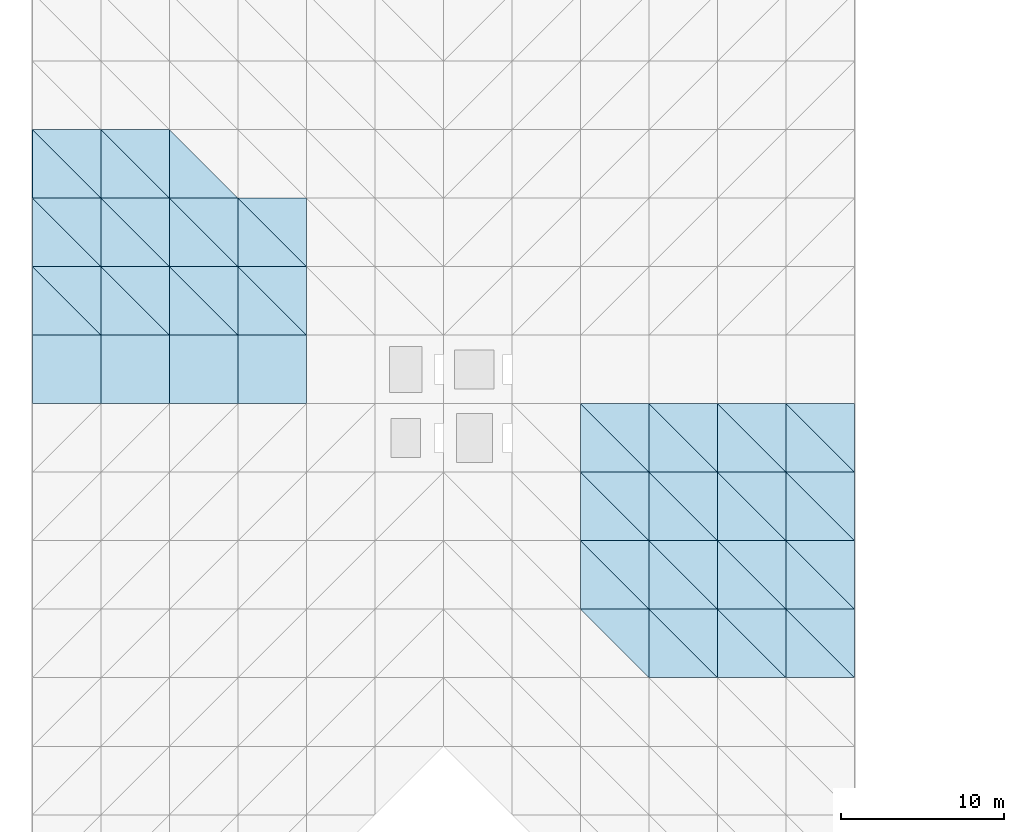
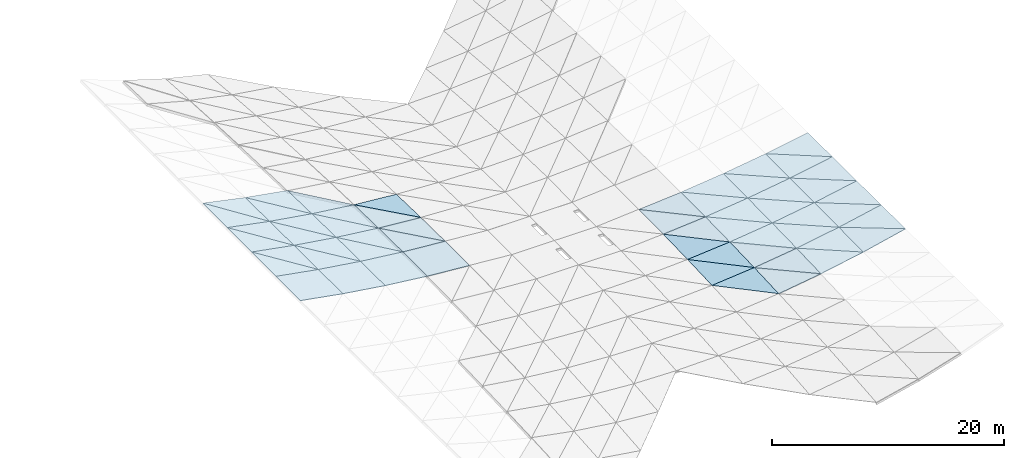
# One storey, part 21 of 31: 56 roofs.
"""IFC4 building model written with IfcOpenShell, lengths in metres."""

from ifc_helpers import new_model, si_unit, direction, frame, origin, place, context, subcontext, project, spatial, polyline, outline, extrude, material, layer, layer_set, type_object, element, save


model = new_model("IFC4")

# Units and contexts
model_context = context("Model", 3, precision=1e-05, world=origin(), true_north=direction((0.0, 1.0)))
body_context = subcontext(model_context, "Body", "Model", "MODEL_VIEW")
ifc_project = project(units=[si_unit("LENGTHUNIT", "METRE"), si_unit("AREAUNIT", "SQUARE_METRE"), si_unit("VOLUMEUNIT", "CUBIC_METRE"), si_unit("PLANEANGLEUNIT", "RADIAN"), si_unit("MASSUNIT", "GRAM", prefix="KILO")], contexts=[model_context])

# Site, building, storey
site_placement = place(None, origin())
site = spatial("IfcSite", under=ifc_project, at=site_placement, CompositionType="ELEMENT")
building_placement = place(site_placement, origin())
building = spatial("IfcBuilding", under=site, at=building_placement, Name="Cumbredor Promenade Congress Hotel", CompositionType="ELEMENT")
storey_placement = place(building_placement, frame((0.0, 0.0, 31.919921875)))
storey = spatial("IfcBuildingStorey", under=building, at=storey_placement, Name="L09", CompositionType="ELEMENT", Elevation=31.919921875)

# Roofs
ifc_material = material(Name="Standing-seam zinc-aluminium roofing", Category="aluminium")
ifc_layer = layer(ifc_material, 0.050048828125, Name="Standing-seam zinc-aluminium roofing", Category="aluminium")
ifc_layer_set = layer_set([ifc_layer], Name="Standing-seam zinc-aluminium roofing")
roof_type = type_object("IfcRoofType", Name="Sweeping Pavilion Standing-Seam Roof Skin 50mm", PredefinedType="FREEFORM", material=ifc_layer_set)
roof_1_placement = place(storey_placement, frame((8.39990234375, 33.60009765625, 3.57568359375), z_axis=(0.175782716667, 0.0, 0.984428990086), x_axis=(0.984428990086, 0.0, -0.175782716667)))
element("IfcRoof", 1, at=roof_1_placement, inside=storey, type_object=roof_type, Name="Plenary Congress Hall Standing-Seam Roof Skin 4.9", PredefinedType="FREEFORM", context=body_context, shape_type="SweptSolid", body=[
    extrude(outline(polyline([(0.0, 0.0), (4.266631067147355, 0.0), (4.266631067147355, 4.199951171875001), (0.0, 4.199951171875001), (0.0, 0.0)])), origin(), (0.0, 0.0, -1.0), 0.050048828125),
])
roof_2_placement = place(storey_placement, frame((8.39990234375, 37.800048828125, 3.57568359375), z_axis=(0.1757823641, -0.002002845175, 0.98442701562), x_axis=(0.984428990086, 0.0, -0.175782716667)))
element("IfcRoof", 2, at=roof_2_placement, inside=storey, type_object=roof_type, Name="Plenary Congress Hall Standing-Seam Roof Skin 4.10.1", PredefinedType="FREEFORM", context=body_context, shape_type="SweptSolid", body=[
    extrude(outline(polyline([(0.0, 0.0), (4.266631067147355, 2.168404344971009e-19), (-0.0015020495808968119, 4.199959595718879), (0.0, 0.0)])), origin(), (0.0, 0.0, -1.0), 0.050048828125),
])
roof_3_placement = place(storey_placement, frame((12.60009765625, 37.800048828125, 2.82568359375), z_axis=(0.180931537884, 0.003315841772, 0.983490103556), x_axis=(0.0, 0.999994316526, -0.003371485808)))
element("IfcRoof", 3, at=roof_3_placement, inside=storey, type_object=roof_type, Name="Plenary Congress Hall Standing-Seam Roof Skin 4.10.2", PredefinedType="FREEFORM", context=body_context, shape_type="SweptSolid", body=[
    extrude(outline(polyline([(0.0, 0.0), (4.199975042325753, 4.336808689942018e-19), (4.19736987812093, 4.270679924090144), (0.0, 0.0)])), origin(), (0.0, 0.0, -1.0), 0.050048828125),
])
roof_4_placement = place(storey_placement, frame((8.39990234375, 42.0, 3.584228515625), z_axis=(0.180931042037, -0.004059036563, 0.983487408282), x_axis=(0.983495510242, 0.0, -0.180932532546)))
element("IfcRoof", 4, at=roof_4_placement, inside=storey, type_object=roof_type, Name="Plenary Congress Hall Standing-Seam Roof Skin 4.11.1", PredefinedType="FREEFORM", context=body_context, shape_type="SweptSolid", body=[
    extrude(outline(polyline([(0.0, 0.0), (4.270680718680236, 4.336808689942018e-19), (-0.0031362816920767274, 4.199985771033712), (0.0, 0.0)])), origin(), (0.0, 0.0, -1.0), 0.050048828125),
])
roof_5_placement = place(storey_placement, frame((12.60009765625, 42.0, 2.8115234375), z_axis=(0.191292954794, 0.006675388226, 0.981510287587), x_axis=(0.0, 0.999976873054, -0.006800982047)))
element("IfcRoof", 5, at=roof_5_placement, inside=storey, type_object=roof_type, Name="Plenary Congress Hall Standing-Seam Roof Skin 4.11.2", PredefinedType="FREEFORM", context=body_context, shape_type="SweptSolid", body=[
    extrude(outline(polyline([(0.0, 0.0), (4.200048306164646, -8.673617379884035e-19), (4.1944809983516125, 4.279219716726906), (0.0, 0.0)])), origin(), (0.0, 0.0, -1.0), 0.050048828125),
])
roof_6_placement = place(storey_placement, frame((8.39990234375, 46.199951171875, 3.6015625), z_axis=(0.191293784239, -0.005990758999, 0.981514543406), x_axis=(0.981532156763, 0.0, -0.191297217021)))
element("IfcRoof", 6, at=roof_6_placement, inside=storey, type_object=roof_type, Name="Plenary Congress Hall Standing-Seam Roof Skin 4.12.1", PredefinedType="FREEFORM", context=body_context, shape_type="SweptSolid", body=[
    extrude(outline(polyline([(0.0, 0.0), (4.279223338287052, 0.0), (-0.004903859323044345, 4.200026540333593), (0.0, 0.0)])), origin(), (0.0, 0.0, -1.0), 0.050048828125),
])
roof_7_placement = place(storey_placement, frame((12.60009765625, 46.199951171875, 2.782958984375), z_axis=(0.206659303416, 0.010009397822, 0.978361765538), x_axis=(0.0, 0.999947669743, -0.010230238323)))
element("IfcRoof", 7, at=roof_7_placement, inside=storey, type_object=roof_type, Name="Plenary Congress Hall Standing-Seam Roof Skin 4.12.2", PredefinedType="FREEFORM", context=body_context, shape_type="SweptSolid", body=[
    extrude(outline(polyline([(0.0, 0.0), (4.2001709679024675, 0.0), (4.191094628530725, 4.292865546404875), (0.0, 0.0)])), origin(), (0.0, 0.0, -1.0), 0.050048828125),
])
roof_8_placement = place(storey_placement, frame((12.60009765625, 33.60009765625, 2.82568359375), z_axis=(0.144488762468, 0.0, 0.989506441374), x_axis=(0.989506441374, 0.0, -0.144488762468)))
element("IfcRoof", 8, at=roof_8_placement, inside=storey, type_object=roof_type, Name="Plenary Congress Hall Standing-Seam Roof Skin 5.9", PredefinedType="FREEFORM", context=body_context, shape_type="SweptSolid", body=[
    extrude(outline(polyline([(0.0, 0.0), (4.244490986883557, 0.0), (4.244490986883557, 4.199951171875001), (0.0, 4.199951171875001), (0.0, 0.0)])), origin(), (0.0, 0.0, -1.0), 0.050048828125),
])
roof_9_placement = place(storey_placement, frame((12.60009765625, 37.800048828125, 2.82568359375), z_axis=(0.144487958414, 0.00333610732, 0.989500934947), x_axis=(0.989506441374, 0.0, -0.144488762468)))
element("IfcRoof", 9, at=roof_9_placement, inside=storey, type_object=roof_type, Name="Plenary Congress Hall Standing-Seam Roof Skin 5.10.1", PredefinedType="FREEFORM", context=body_context, shape_type="SweptSolid", body=[
    extrude(outline(polyline([(0.0, 0.0), (4.244490986883557, 0.0), (0.0020459834529113945, 4.19997454398368), (0.0, 0.0)])), origin(), (0.0, 0.0, -1.0), 0.050048828125),
])
roof_10_placement = place(storey_placement, frame((16.800048828125, 37.800048828125, 2.21240234375), z_axis=(0.148872751648, 0.007817256457, 0.988825462009), x_axis=(0.0, 0.999968752226, -0.007905350829)))
element("IfcRoof", 10, at=roof_10_placement, inside=storey, type_object=roof_type, Name="Plenary Congress Hall Standing-Seam Roof Skin 5.10.2", PredefinedType="FREEFORM", context=body_context, shape_type="SweptSolid", body=[
    extrude(outline(polyline([(0.0, 0.0), (4.200082415101393, 8.673617379884035e-19), (4.1950836703148155, 4.247281339433798), (0.0, 0.0)])), origin(), (0.0, 0.0, -1.0), 0.050048828125),
])
roof_11_placement = place(storey_placement, frame((12.60009765625, 42.0, 2.8115234375), z_axis=(0.14887393386, 0.006725193151, 0.988833314363), x_axis=(0.988855676708, 0.0, -0.148877300626)))
element("IfcRoof", 11, at=roof_11_placement, inside=storey, type_object=roof_type, Name="Plenary Congress Hall Standing-Seam Roof Skin 5.11.1", PredefinedType="FREEFORM", context=body_context, shape_type="SweptSolid", body=[
    extrude(outline(polyline([(0.0, 0.0), (4.247284281014397, -8.673617379884035e-19), (0.004252598675116891, 4.200046153260822), (0.0, 0.0)])), origin(), (0.0, 0.0, -1.0), 0.050048828125),
])
roof_12_placement = place(storey_placement, frame((16.800048828125, 42.0, 2.17919921875), z_axis=(0.157496793672, 0.015554530279, 0.987396990359), x_axis=(0.0, 0.999875943539, -0.015751112056)))
element("IfcRoof", 12, at=roof_12_placement, inside=storey, type_object=roof_type, Name="Plenary Congress Hall Standing-Seam Roof Skin 5.11.2", PredefinedType="FREEFORM", context=body_context, shape_type="SweptSolid", body=[
    extrude(outline(polyline([(0.0, 0.0), (4.200472267596959, 1.734723475976807e-18), (4.1899202530750745, 4.253031133171639), (0.0, 0.0)])), origin(), (0.0, 0.0, -1.0), 0.050048828125),
])
roof_13_placement = place(storey_placement, frame((12.60009765625, 46.199951171875, 2.782958984375), z_axis=(0.157507811441, 0.010102541842, 0.987466064219), x_axis=(0.987516459137, 0.0, -0.157515849786)))
element("IfcRoof", 13, at=roof_13_placement, inside=storey, type_object=roof_type, Name="Plenary Congress Hall Standing-Seam Roof Skin 5.12.1", PredefinedType="FREEFORM", context=body_context, shape_type="SweptSolid", body=[
    extrude(outline(polyline([(0.0, 0.0), (4.253044223228545, -8.673617379884035e-19), (0.006768259170499436, 4.200165514628983), (0.0, 0.0)])), origin(), (0.0, 0.0, -1.0), 0.050048828125),
])
roof_14_placement = place(storey_placement, frame((16.800048828125, 46.199951171875, 2.113037109375), z_axis=(0.170303944809, 0.023249294416, 0.985117270528), x_axis=(0.0, 0.999721623662, -0.02359396496)))
element("IfcRoof", 14, at=roof_14_placement, inside=storey, type_object=roof_type, Name="Plenary Congress Hall Standing-Seam Roof Skin 5.12.2", PredefinedType="FREEFORM", context=body_context, shape_type="SweptSolid", body=[
    extrude(outline(polyline([(0.0, 0.0), (4.201120664460899, 3.469446951953614e-18), (4.183989694785356, 4.262215403654018), (0.0, 0.0)])), origin(), (0.0, 0.0, -1.0), 0.050048828125),
])
roof_15_placement = place(storey_placement, frame((16.800048828125, 33.60009765625, 2.21240234375), z_axis=(0.11285914596, 0.0, 0.993610996906), x_axis=(0.993610996906, 0.0, -0.11285914596)))
element("IfcRoof", 15, at=roof_15_placement, inside=storey, type_object=roof_type, Name="Plenary Congress Hall Standing-Seam Roof Skin 6.9", PredefinedType="FREEFORM", context=body_context, shape_type="SweptSolid", body=[
    extrude(outline(polyline([(0.0, 0.0), (4.226957214596029, 0.0), (4.226957214596029, 4.199951171875), (0.0, 4.199951171875), (0.0, 0.0)])), origin(), (0.0, 0.0, -1.0), 0.050048828125),
])
roof_16_placement = place(storey_placement, frame((16.800048828125, 37.800048828125, 2.21240234375), z_axis=(0.11285566428, 0.007854846644, 0.993580344222), x_axis=(0.993610996906, 0.0, -0.11285914596)))
element("IfcRoof", 16, at=roof_16_placement, inside=storey, type_object=roof_type, Name="Plenary Congress Hall Standing-Seam Roof Skin 6.10.1", PredefinedType="FREEFORM", context=body_context, shape_type="SweptSolid", body=[
    extrude(outline(polyline([(0.0, 0.0), (4.226957214596029, 0.0), (0.0037472763307128, 4.200080743457685), (0.0, 0.0)])), origin(), (0.0, 0.0, -1.0), 0.050048828125),
])
roof_17_placement = place(storey_placement, frame((21.0, 37.800048828125, 1.7353515625), z_axis=(0.116271015302, 0.011315352035, 0.993153066656), x_axis=(0.0, 0.999935101974, -0.011392622216)))
element("IfcRoof", 17, at=roof_17_placement, inside=storey, type_object=roof_type, Name="Plenary Congress Hall Standing-Seam Roof Skin 6.10.2", PredefinedType="FREEFORM", context=body_context, shape_type="SweptSolid", body=[
    extrude(outline(polyline([(0.0, 0.0), (4.200223758107165, 8.673617379884035e-19), (4.194622014663901, 4.2286317631503385), (0.0, 0.0)])), origin(), (0.0, 0.0, -1.0), 0.050048828125),
])
roof_18_placement = place(storey_placement, frame((16.800048828125, 42.0, 2.17919921875), z_axis=(0.116264229431, 0.015644293037, 0.993095103729), x_axis=(0.993216653027, 0.0, -0.116278459524)))
element("IfcRoof", 18, at=roof_18_placement, inside=storey, type_object=roof_type, Name="Plenary Congress Hall Standing-Seam Roof Skin 6.11.1", PredefinedType="FREEFORM", context=body_context, shape_type="SweptSolid", body=[
    extrude(outline(polyline([(0.0, 0.0), (4.228635473513123, 0.0), (0.007693228157004582, 4.200465222459491), (0.0, 0.0)])), origin(), (0.0, 0.0, -1.0), 0.050048828125),
])
roof_19_placement = place(storey_placement, frame((21.0, 42.0, 1.6875), z_axis=(0.123016640943, 0.022492494125, 0.992149683142), x_axis=(0.0, 0.999743124033, -0.022664640956)))
element("IfcRoof", 19, at=roof_19_placement, inside=storey, type_object=roof_type, Name="Plenary Congress Hall Standing-Seam Roof Skin 6.11.2", PredefinedType="FREEFORM", context=body_context, shape_type="SweptSolid", body=[
    extrude(outline(polyline([(0.0, 0.0), (4.201030315601701, 1.734723475976807e-18), (4.189227659556787, 4.2320955967614875), (0.0, 0.0)])), origin(), (0.0, 0.0, -1.0), 0.050048828125),
])
roof_20_placement = place(storey_placement, frame((16.800048828125, 46.199951171875, 2.113037109375), z_axis=(0.123014035395, 0.023414767168, 0.992128668961), x_axis=(0.992400748769, 0.0, -0.123047770571)))
element("IfcRoof", 20, at=roof_20_placement, inside=storey, type_object=roof_type, Name="Plenary Congress Hall Standing-Seam Roof Skin 6.12.1", PredefinedType="FREEFORM", context=body_context, shape_type="SweptSolid", body=[
    extrude(outline(polyline([(0.0, 0.0), (4.232112054615011, 0.0), (0.012196629602449008, 4.201102959888836), (0.0, 0.0)])), origin(), (0.0, 0.0, -1.0), 0.050048828125),
])
roof_21_placement = place(storey_placement, frame((21.0, 33.60009765625, 1.7353515625), z_axis=(0.080940322755, 0.0, 0.99671894943), x_axis=(0.99671894943, 0.0, -0.080940322755)))
element("IfcRoof", 21, at=roof_21_placement, inside=storey, type_object=roof_type, Name="Plenary Congress Hall Standing-Seam Roof Skin 7.9", PredefinedType="FREEFORM", context=body_context, shape_type="SweptSolid", body=[
    extrude(outline(polyline([(0.0, 0.0), (4.213776786603633, 0.0), (4.213776786603633, 4.199951171875), (0.0, 4.199951171875), (0.0, 0.0)])), origin(), (0.0, 0.0, -1.0), 0.050048828125),
])
roof_22_placement = place(storey_placement, frame((21.0, 37.800048828125, 1.7353515625), z_axis=(0.080935104298, 0.011355247274, 0.99665468807), x_axis=(0.99671894943, 0.0, -0.080940322755)))
element("IfcRoof", 22, at=roof_22_placement, inside=storey, type_object=roof_type, Name="Plenary Congress Hall Standing-Seam Roof Skin 7.10.1", PredefinedType="FREEFORM", context=body_context, shape_type="SweptSolid", body=[
    extrude(outline(polyline([(0.0, 0.0), (4.213776786603633, 0.0), (0.0038731209130785016, 4.2002219723607785), (0.0, 0.0)])), origin(), (0.0, 0.0, -1.0), 0.050048828125),
])
roof_23_placement = place(storey_placement, frame((25.199951171875, 37.800048828125, 1.394287109375), z_axis=(0.083349162812, 0.01378533756, 0.996425050632), x_axis=(0.0, 0.999904312942, -0.013833472446)))
element("IfcRoof", 23, at=roof_23_placement, inside=storey, type_object=roof_type, Name="Plenary Congress Hall Standing-Seam Roof Skin 7.10.2", PredefinedType="FREEFORM", context=body_context, shape_type="SweptSolid", body=[
    extrude(outline(polyline([(0.0, 0.0), (4.200353091304688, 0.0), (4.1954931384606695, 4.214616330892586), (0.0, 0.0)])), origin(), (0.0, 0.0, -1.0), 0.050048828125),
])
roof_24_placement = place(storey_placement, frame((21.0, 42.0, 1.6875), z_axis=(0.083335819886, 0.022585802471, 0.996265538223), x_axis=(0.99651974221, 0.0, -0.083357083592)))
element("IfcRoof", 24, at=roof_24_placement, inside=storey, type_object=roof_type, Name="Plenary Congress Hall Standing-Seam Roof Skin 7.11.1", PredefinedType="FREEFORM", context=body_context, shape_type="SweptSolid", body=[
    extrude(outline(polyline([(0.0, 0.0), (4.214619132942873, 1.734723475976807e-18), (0.007936831689709503, 4.201022818232157), (0.0, 0.0)])), origin(), (0.0, 0.0, -1.0), 0.050048828125),
])
roof_25_placement = place(storey_placement, frame((25.199951171875, 42.0, 1.336181640625), z_axis=(0.08821024905, 0.027493351902, 0.995722384786), x_axis=(0.0, 0.99961902138, -0.02760094374)))
element("IfcRoof", 25, at=roof_25_placement, inside=storey, type_object=roof_type, Name="Plenary Congress Hall Standing-Seam Roof Skin 7.11.2", PredefinedType="FREEFORM", context=body_context, shape_type="SweptSolid", body=[
    extrude(outline(polyline([(0.0, 0.0), (4.2015518733096275, 1.734723475976807e-18), (4.1912823815470714, 4.216387162146875), (0.0, 0.0)])), origin(), (0.0, 0.0, -1.0), 0.050048828125),
])
roof_26_placement = place(storey_placement, frame((46.199951171875, 16.800048828125, 1.258544921875), z_axis=(-0.095492562031, -0.045145091372, 0.994405898676), x_axis=(0.0, 0.998971053032, 0.04535234508)))
element("IfcRoof", 26, at=roof_26_placement, inside=storey, type_object=roof_type, Name="Plenary Congress Hall Standing-Seam Roof Skin 12.5.2", PredefinedType="FREEFORM", context=body_context, shape_type="SweptSolid", body=[
    extrude(outline(polyline([(0.0, 0.0), (4.204277150101552, 0.0), (4.185985628111122, 4.219232458733763), (0.0, 0.0)])), origin(), (0.0, 0.0, -1.0), 0.050048828125),
])
roof_27_placement = place(storey_placement, frame((42.0, 21.0, 1.0458984375), z_axis=(-0.095508545961, -0.041279117322, 0.994572346349), x_axis=(0.995420789287, 0.0, 0.095590021735)))
element("IfcRoof", 27, at=roof_27_placement, inside=storey, type_object=roof_type, Name="Plenary Congress Hall Standing-Seam Roof Skin 12.6.1", PredefinedType="FREEFORM", context=body_context, shape_type="SweptSolid", body=[
    extrude(outline(polyline([(0.0, 0.0), (4.219272107912606, 0.0), (0.016662909062153147, 4.2035340373409245), (0.0, 0.0)])), origin(), (0.0, 0.0, -1.0), 0.050048828125),
])
roof_28_placement = place(storey_placement, frame((46.199951171875, 21.0, 1.44921875), z_axis=(-0.088192852342, -0.033911424851, 0.995526009736), x_axis=(0.0, 0.999420332288, 0.034044080377)))
element("IfcRoof", 28, at=roof_28_placement, inside=storey, type_object=roof_type, Name="Plenary Congress Hall Standing-Seam Roof Skin 12.6.2", PredefinedType="FREEFORM", context=body_context, shape_type="SweptSolid", body=[
    extrude(outline(polyline([(0.0, 0.0), (4.202387160023631, 0.0), (4.189720368399084, 4.21638064173148), (0.0, 0.0)])), origin(), (0.0, 0.0, -1.0), 0.050048828125),
])
roof_29_placement = place(storey_placement, frame((42.0, 25.199951171875, 1.22021484375), z_axis=(-0.08821024905, -0.027493351902, 0.995722384786), x_axis=(0.996098923772, 0.0, 0.088243606338)))
element("IfcRoof", 29, at=roof_29_placement, inside=storey, type_object=roof_type, Name="Plenary Congress Hall Standing-Seam Roof Skin 12.7.1", PredefinedType="FREEFORM", context=body_context, shape_type="SweptSolid", body=[
    extrude(outline(polyline([(0.0, 0.0), (4.216399668387478, 0.0), (0.0102333283716927, 4.201539411108989), (0.0, 0.0)])), origin(), (0.0, 0.0, -1.0), 0.050048828125),
])
roof_30_placement = place(storey_placement, frame((46.199951171875, 25.199951171875, 1.59228515625), z_axis=(-0.083335819886, -0.022585802471, 0.996265538223), x_axis=(0.0, 0.999743124033, 0.022664640956)))
element("IfcRoof", 30, at=roof_30_placement, inside=storey, type_object=roof_type, Name="Plenary Congress Hall Standing-Seam Roof Skin 12.7.2", PredefinedType="FREEFORM", context=body_context, shape_type="SweptSolid", body=[
    extrude(outline(polyline([(0.0, 0.0), (4.201030315601701, 0.0), (4.19306781112508, 4.214611611322042), (0.0, 0.0)])), origin(), (0.0, 0.0, -1.0), 0.050048828125),
])
roof_31_placement = place(storey_placement, frame((42.0, 29.39990234375, 1.336181640625), z_axis=(-0.083349163733, -0.013784536426, 0.996425061638), x_axis=(0.99651974221, 0.0, 0.083357083592)))
element("IfcRoof", 31, at=roof_31_placement, inside=storey, type_object=roof_type, Name="Plenary Congress Hall Standing-Seam Roof Skin 12.8.1", PredefinedType="FREEFORM", context=body_context, shape_type="SweptSolid", body=[
    extrude(outline(polyline([(0.0, 0.0), (4.214619132942873, 0.0), (0.00484350241577144, 4.200594416166595), (0.0, 0.0)])), origin(), (0.0, 0.0, -1.0), 0.050048828125),
])
roof_32_placement = place(storey_placement, frame((46.199951171875, 29.39990234375, 1.6875), z_axis=(-0.080935104904, -0.011354587324, 0.996654695539), x_axis=(0.0, 0.999935109517, 0.011391960094)))
element("IfcRoof", 32, at=roof_32_placement, inside=storey, type_object=roof_type, Name="Plenary Congress Hall Standing-Seam Roof Skin 12.8.2", PredefinedType="FREEFORM", context=body_context, shape_type="SweptSolid", body=[
    extrude(outline(polyline([(0.0, 0.0), (4.200467882888842, 0.0), (4.196582490249197, 4.213774995303341), (0.0, 0.0)])), origin(), (0.0, 0.0, -1.0), 0.050048828125),
])
roof_33_placement = place(storey_placement, frame((46.199951171875, 16.800048828125, 1.258544921875), z_axis=(-0.146592635163, -0.044862401278, 0.988179115478), x_axis=(0.989175041018, 0.0, 0.14674037695)))
element("IfcRoof", 33, at=roof_33_placement, inside=storey, type_object=roof_type, Name="Plenary Congress Hall Standing-Seam Roof Skin 13.5.1", PredefinedType="FREEFORM", context=body_context, shape_type="SweptSolid", body=[
    extrude(outline(polyline([(0.0, 0.0), (4.245913006007242, 0.0), (0.027979549413633405, 4.204184046837226), (0.0, 0.0)])), origin(), (0.0, 0.0, -1.0), 0.050048828125),
])
roof_34_placement = place(storey_placement, frame((50.39990234375, 16.800048828125, 1.881591796875), z_axis=(-0.133189309052, -0.031209946176, 0.990599085006), x_axis=(0.0, 0.999504050995, 0.031490507216)))
element("IfcRoof", 34, at=roof_34_placement, inside=storey, type_object=roof_type, Name="Plenary Congress Hall Standing-Seam Roof Skin 13.5.2", PredefinedType="FREEFORM", context=body_context, shape_type="SweptSolid", body=[
    extrude(outline(polyline([(0.0, 0.0), (4.202035167035372, -3.469446951953614e-18), (4.184252563717274, 4.237706529121356), (0.0, 0.0)])), origin(), (0.0, 0.0, -1.0), 0.050048828125),
])
roof_35_placement = place(storey_placement, frame((46.199951171875, 21.0, 1.44921875), z_axis=(-0.133178350958, -0.033740818704, 0.990517583887), x_axis=(0.991081889584, 0.0, 0.133254223717)))
element("IfcRoof", 35, at=roof_35_placement, inside=storey, type_object=roof_type, Name="Plenary Congress Hall Standing-Seam Roof Skin 13.6.1", PredefinedType="FREEFORM", context=body_context, shape_type="SweptSolid", body=[
    extrude(outline(polyline([(0.0, 0.0), (4.23774383934878, 3.469446951953614e-18), (0.01906420290486114, 4.202343917256068), (0.0, 0.0)])), origin(), (0.0, 0.0, -1.0), 0.050048828125),
])
roof_36_placement = place(storey_placement, frame((50.39990234375, 21.0, 2.013916015625), z_axis=(-0.123014035395, -0.023414767168, 0.992128668961), x_axis=(0.0, 0.999721623662, 0.02359396496)))
element("IfcRoof", 36, at=roof_36_placement, inside=storey, type_object=roof_type, Name="Plenary Congress Hall Standing-Seam Roof Skin 13.6.2", PredefinedType="FREEFORM", context=body_context, shape_type="SweptSolid", body=[
    extrude(outline(polyline([(0.0, 0.0), (4.201120664460899, 0.0), (4.188834061126019, 4.232094219437486), (0.0, 0.0)])), origin(), (0.0, 0.0, -1.0), 0.050048828125),
])
roof_37_placement = place(storey_placement, frame((46.199951171875, 25.199951171875, 1.59228515625), z_axis=(-0.123016640943, -0.022492494125, 0.992149683142), x_axis=(0.992400748769, 0.0, 0.123047770571)))
element("IfcRoof", 37, at=roof_37_placement, inside=storey, type_object=roof_type, Name="Plenary Congress Hall Standing-Seam Roof Skin 13.7.1", PredefinedType="FREEFORM", context=body_context, shape_type="SweptSolid", body=[
    extrude(outline(polyline([(0.0, 0.0), (4.232112054615011, 0.0), (0.011715974248657912, 4.201013978618962), (0.0, 0.0)])), origin(), (0.0, 0.0, -1.0), 0.050048828125),
])
roof_38_placement = place(storey_placement, frame((50.39990234375, 25.199951171875, 2.113037109375), z_axis=(-0.116264229431, -0.015644293037, 0.993095103729), x_axis=(0.0, 0.999875943539, 0.015751112056)))
element("IfcRoof", 38, at=roof_38_placement, inside=storey, type_object=roof_type, Name="Plenary Congress Hall Standing-Seam Roof Skin 13.7.2", PredefinedType="FREEFORM", context=body_context, shape_type="SweptSolid", body=[
    extrude(outline(polyline([(0.0, 0.0), (4.200472267596959, 8.673617379884035e-19), (4.192727458104585, 4.228628381139619), (0.0, 0.0)])), origin(), (0.0, 0.0, -1.0), 0.050048828125),
])
roof_39_placement = place(storey_placement, frame((46.199951171875, 29.39990234375, 1.6875), z_axis=(-0.116271016168, -0.011314694403, 0.993153074047), x_axis=(0.993216653027, 0.0, 0.116278459524)))
element("IfcRoof", 39, at=roof_39_placement, inside=storey, type_object=roof_type, Name="Plenary Congress Hall Standing-Seam Roof Skin 13.8.1", PredefinedType="FREEFORM", context=body_context, shape_type="SweptSolid", body=[
    extrude(outline(polyline([(0.0, 0.0), (4.228635473513123, -8.673617379884035e-19), (0.005564105973331727, 4.20046419766975), (0.0, 0.0)])), origin(), (0.0, 0.0, -1.0), 0.050048828125),
])
roof_40_placement = place(storey_placement, frame((50.39990234375, 29.39990234375, 2.17919921875), z_axis=(-0.112855664685, -0.007854390101, 0.993580347785), x_axis=(0.0, 0.999968755858, 0.007904891351)))
element("IfcRoof", 40, at=roof_40_placement, inside=storey, type_object=roof_type, Name="Plenary Congress Hall Standing-Seam Roof Skin 13.8.2", PredefinedType="FREEFORM", context=body_context, shape_type="SweptSolid", body=[
    extrude(outline(polyline([(0.0, 0.0), (4.200326548097986, 0.0), (4.1965555135034585, 4.226955532451638), (0.0, 0.0)])), origin(), (0.0, 0.0, -1.0), 0.050048828125),
])
roof_41_placement = place(storey_placement, frame((50.39990234375, 16.800048828125, 1.881591796875), z_axis=(-0.18724546811, -0.030933539499, 0.981825977863), x_axis=(0.98229606197, 0.0, 0.187335118538)))
element("IfcRoof", 41, at=roof_41_placement, inside=storey, type_object=roof_type, Name="Plenary Congress Hall Standing-Seam Roof Skin 14.5.1", PredefinedType="FREEFORM", context=body_context, shape_type="SweptSolid", body=[
    extrude(outline(polyline([(0.0, 0.0), (4.275895501479533, 0.0), (0.024788973204955687, 4.20196204787828), (0.0, 0.0)])), origin(), (0.0, 0.0, -1.0), 0.050048828125),
])
roof_42_placement = place(storey_placement, frame((54.60009765625, 16.800048828125, 2.6826171875), z_axis=(-0.170324946119, -0.013459545745, 0.985296023212), x_axis=(0.0, 0.999906709682, 0.013659133685)))
element("IfcRoof", 42, at=roof_42_placement, inside=storey, type_object=roof_type, Name="Plenary Congress Hall Standing-Seam Roof Skin 14.5.2", PredefinedType="FREEFORM", context=body_context, shape_type="SweptSolid", body=[
    extrude(outline(polyline([(0.0, 0.0), (4.200343023211546, 1.734723475976807e-18), (4.190425478392736, 4.262478865236186), (0.0, 0.0)])), origin(), (0.0, 0.0, -1.0), 0.050048828125),
])
roof_43_placement = place(storey_placement, frame((50.39990234375, 21.0, 2.013916015625), z_axis=(-0.170294332802, -0.02324933361, 0.985118931247), x_axis=(0.985385283144, 0.0, 0.170340376196)))
element("IfcRoof", 43, at=roof_43_placement, inside=storey, type_object=roof_type, Name="Plenary Congress Hall Standing-Seam Roof Skin 14.6.1", PredefinedType="FREEFORM", context=body_context, shape_type="SweptSolid", body=[
    extrude(outline(polyline([(0.0, 0.0), (4.2624904028373365, 0.0), (0.01688432439830721, 4.201086735232921), (0.0, 0.0)])), origin(), (0.0, 0.0, -1.0), 0.050048828125),
])
roof_44_placement = place(storey_placement, frame((54.60009765625, 21.0, 2.739990234375), z_axis=(-0.157498883251, -0.010102556409, 0.987467488138), x_axis=(0.0, 0.999947669743, 0.010230238323)))
element("IfcRoof", 44, at=roof_44_placement, inside=storey, type_object=roof_type, Name="Plenary Congress Hall Standing-Seam Roof Skin 14.6.2", PredefinedType="FREEFORM", context=body_context, shape_type="SweptSolid", body=[
    extrude(outline(polyline([(0.0, 0.0), (4.2001709679024675, 0.0), (4.193317507463266, 4.253279794679689), (0.0, 0.0)])), origin(), (0.0, 0.0, -1.0), 0.050048828125),
])
roof_45_placement = place(storey_placement, frame((50.39990234375, 25.199951171875, 2.113037109375), z_axis=(-0.157487866075, -0.015554552705, 0.987398413979), x_axis=(0.987517883274, 0.0, 0.157506921164)))
element("IfcRoof", 45, at=roof_45_placement, inside=storey, type_object=roof_type, Name="Plenary Congress Hall Standing-Seam Roof Skin 14.7.1", PredefinedType="FREEFORM", context=body_context, shape_type="SweptSolid", body=[
    extrude(outline(polyline([(0.0, 0.0), (4.2532853162879265, 0.0), (0.010420990145363341, 4.200459340812088), (0.0, 0.0)])), origin(), (0.0, 0.0, -1.0), 0.050048828125),
])
roof_46_placement = place(storey_placement, frame((54.60009765625, 25.199951171875, 2.782958984375), z_axis=(-0.148865472185, -0.006725201815, 0.988834588216), x_axis=(0.0, 0.999976873054, 0.006800982047)))
element("IfcRoof", 46, at=roof_46_placement, inside=storey, type_object=roof_type, Name="Plenary Congress Hall Standing-Seam Roof Skin 14.7.2", PredefinedType="FREEFORM", context=body_context, shape_type="SweptSolid", body=[
    extrude(outline(polyline([(0.0, 0.0), (4.200048306164646, 0.0), (4.195747880505309, 4.247523524020076), (0.0, 0.0)])), origin(), (0.0, 0.0, -1.0), 0.050048828125),
])
roof_47_placement = place(storey_placement, frame((50.39990234375, 29.39990234375, 2.17919921875), z_axis=(-0.148864290566, -0.007816812169, 0.988826739344), x_axis=(0.988856950647, 0.0, 0.148868838769)))
element("IfcRoof", 47, at=roof_47_placement, inside=storey, type_object=roof_type, Name="Plenary Congress Hall Standing-Seam Roof Skin 14.8.1", PredefinedType="FREEFORM", context=body_context, shape_type="SweptSolid", body=[
    extrude(outline(polyline([(0.0, 0.0), (4.247525701012859, -8.673617379884035e-19), (0.004942910662242051, 4.2003236397081265), (0.0, 0.0)])), origin(), (0.0, 0.0, -1.0), 0.050048828125),
])
roof_48_placement = place(storey_placement, frame((54.60009765625, 29.39990234375, 2.8115234375), z_axis=(-0.144479735316, -0.003335917456, 0.989502136298), x_axis=(0.0, 0.999994317186, 0.003371289839)))
element("IfcRoof", 48, at=roof_48_placement, inside=storey, type_object=roof_type, Name="Plenary Congress Hall Standing-Seam Roof Skin 14.8.2", PredefinedType="FREEFORM", context=body_context, shape_type="SweptSolid", body=[
    extrude(outline(polyline([(0.0, 0.0), (4.200219181563267, 0.0), (4.198151632716455, 4.244732062214328), (0.0, 0.0)])), origin(), (0.0, 0.0, -1.0), 0.050048828125),
])
roof_49_placement = place(storey_placement, frame((54.60009765625, 16.800048828125, 2.6826171875), z_axis=(-0.226992978768, -0.01330258105, 0.973805539586), x_axis=(0.973891712686, 0.0, 0.22701306562)))
element("IfcRoof", 49, at=roof_49_placement, inside=storey, type_object=roof_type, Name="Plenary Congress Hall Standing-Seam Roof Skin 15.5.1", PredefinedType="FREEFORM", context=body_context, shape_type="SweptSolid", body=[
    extrude(outline(polyline([(0.0, 0.0), (4.312544317985259, -1.734723475976807e-18), (0.013024431255081041, 4.2003228300729925), (0.0, 0.0)])), origin(), (0.0, 0.0, -1.0), 0.050048828125),
])
roof_50_placement = place(storey_placement, frame((58.800048828125, 16.800048828125, 3.66162109375), z_axis=(-0.206674511617, 0.008019016549, 0.978376891398), x_axis=(0.0, 0.999966412478, -0.008195969549)))
element("IfcRoof", 50, at=roof_50_placement, inside=storey, type_object=roof_type, Name="Plenary Congress Hall Standing-Seam Roof Skin 15.5.2", PredefinedType="FREEFORM", context=body_context, shape_type="SweptSolid", body=[
    extrude(outline(polyline([(0.0, 0.0), (4.200092242567652, -8.673617379884035e-19), (4.207363764379842, 4.29263011304307), (0.0, 0.0)])), origin(), (0.0, 0.0, -1.0), 0.050048828125),
])
roof_51_placement = place(storey_placement, frame((54.60009765625, 21.0, 2.739990234375), z_axis=(-0.206670803302, -0.010009372972, 0.978359336601), x_axis=(0.978408349995, 0.0, 0.206681157001)))
element("IfcRoof", 51, at=roof_51_placement, inside=storey, type_object=roof_type, Name="Plenary Congress Hall Standing-Seam Roof Skin 15.6.1", PredefinedType="FREEFORM", context=body_context, shape_type="SweptSolid", body=[
    extrude(outline(polyline([(0.0, 0.0), (4.292636271853652, 1.734723475976807e-18), (0.008880830964874986, 4.20016157908861), (0.0, 0.0)])), origin(), (0.0, 0.0, -1.0), 0.050048828125),
])
roof_52_placement = place(storey_placement, frame((58.800048828125, 21.0, 3.627197265625), z_axis=(-0.191304497087, 0.005990746255, 0.981512455527), x_axis=(0.0, 0.999981373636, -0.006103472896)))
element("IfcRoof", 52, at=roof_52_placement, inside=storey, type_object=roof_type, Name="Plenary Congress Hall Standing-Seam Roof Skin 15.6.2", PredefinedType="FREEFORM", context=body_context, shape_type="SweptSolid", body=[
    extrude(outline(polyline([(0.0, 0.0), (4.200029403152177, 8.673617379884035e-19), (4.205025727522454, 4.278980789705719), (0.0, 0.0)])), origin(), (0.0, 0.0, -1.0), 0.050048828125),
])
roof_53_placement = place(storey_placement, frame((54.60009765625, 25.199951171875, 2.782958984375), z_axis=(-0.191303667599, -0.006675374026, 0.981508199734), x_axis=(0.981530068771, 0.0, 0.191307930046)))
element("IfcRoof", 53, at=roof_53_placement, inside=storey, type_object=roof_type, Name="Plenary Congress Hall Standing-Seam Roof Skin 15.7.1", PredefinedType="FREEFORM", context=body_context, shape_type="SweptSolid", body=[
    extrude(outline(polyline([(0.0, 0.0), (4.2789837066677165, 0.0), (0.005464606400252019, 4.200044751213183), (0.0, 0.0)])), origin(), (0.0, 0.0, -1.0), 0.050048828125),
])
roof_54_placement = place(storey_placement, frame((58.800048828125, 25.199951171875, 3.6015625), z_axis=(-0.180941215122, 0.004059028838, 0.983485536729), x_axis=(0.0, 0.999991483272, -0.004127151968)))
element("IfcRoof", 54, at=roof_54_placement, inside=storey, type_object=roof_type, Name="Plenary Congress Hall Standing-Seam Roof Skin 15.7.2", PredefinedType="FREEFORM", context=body_context, shape_type="SweptSolid", body=[
    extrude(outline(polyline([(0.0, 0.0), (4.199986942021189, -4.336808689942018e-19), (4.203176013305362, 4.270439416935767), (0.0, 0.0)])), origin(), (0.0, 0.0, -1.0), 0.050048828125),
])
roof_55_placement = place(storey_placement, frame((54.60009765625, 29.39990234375, 2.8115234375), z_axis=(-0.18094171111, -0.003315642728, 0.983488232616), x_axis=(0.983493638643, 0.0, 0.180942705709)))
element("IfcRoof", 55, at=roof_55_placement, inside=storey, type_object=roof_type, Name="Plenary Congress Hall Standing-Seam Roof Skin 15.8.1", PredefinedType="FREEFORM", context=body_context, shape_type="SweptSolid", body=[
    extrude(outline(polyline([(0.0, 0.0), (4.2704406077001416, 0.0), (0.0025621769851310737, 4.200218400086013), (0.0, 0.0)])), origin(), (0.0, 0.0, -1.0), 0.050048828125),
])
roof_56_placement = place(storey_placement, frame((58.800048828125, 29.39990234375, 3.584228515625), z_axis=(-0.175792266503, 0.002002725161, 0.984425247609), x_axis=(0.0, 0.999997930593, -0.002034406392)))
element("IfcRoof", 56, at=roof_56_placement, inside=storey, type_object=roof_type, Name="Plenary Congress Hall Standing-Seam Roof Skin 15.8.2", PredefinedType="FREEFORM", context=body_context, shape_type="SweptSolid", body=[
    extrude(outline(polyline([(0.0, 0.0), (4.200204004430835, -2.168404344971009e-19), (4.201729809224957, 4.266390455414731), (0.0, 0.0)])), origin(), (0.0, 0.0, -1.0), 0.050048828125),
])

save(model, "model.ifc")
